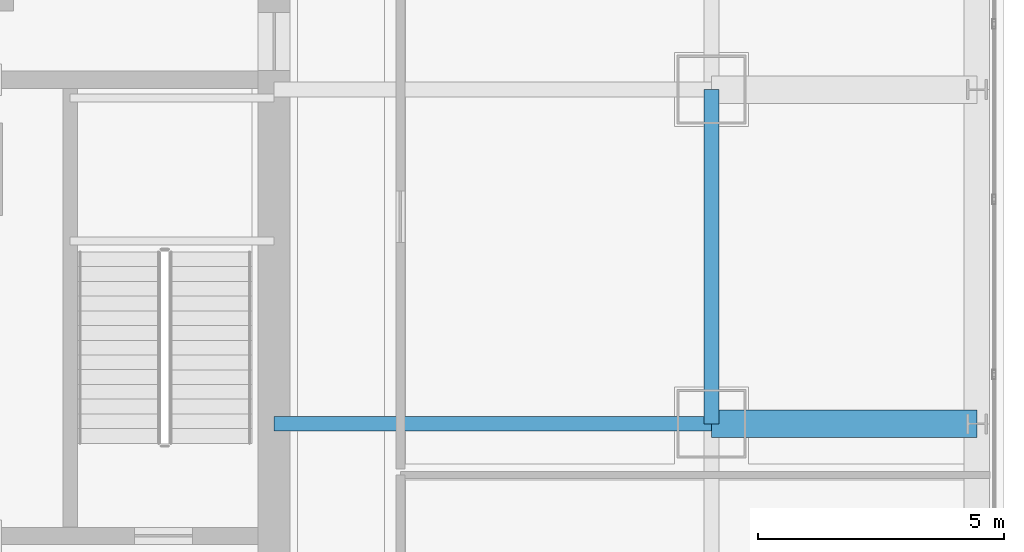
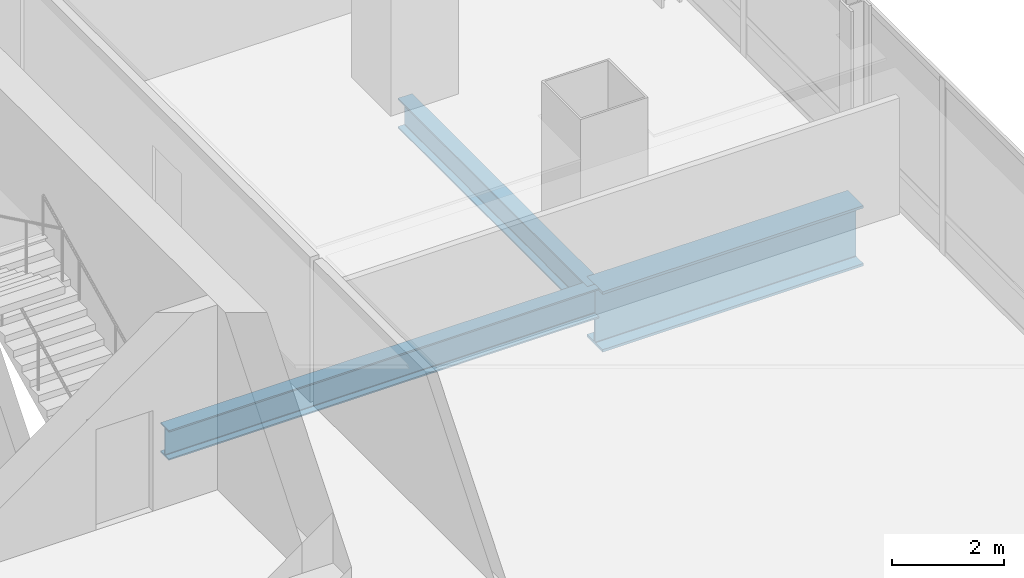
# One storey, part 16 of 36: 3 beams.
"""IFC4 building model written with IfcOpenShell, lengths in metres."""

from ifc_helpers import new_model, si_unit, direction, frame, origin, origin_2d, place, context, subcontext, project, spatial, i_section, extrude, material, material_profile, profile_set, type_object, element, save


model = new_model("IFC4")

# Units and contexts
model_context = context("Model", 3, precision=1e-05, world=origin(), true_north=direction((0.0, 1.0)))
body_context = subcontext(model_context, "Body", "Model", "MODEL_VIEW")
ifc_project = project(units=[si_unit("LENGTHUNIT", "METRE"), si_unit("AREAUNIT", "SQUARE_METRE"), si_unit("VOLUMEUNIT", "CUBIC_METRE"), si_unit("PLANEANGLEUNIT", "RADIAN"), si_unit("MASSUNIT", "GRAM", prefix="KILO")], contexts=[model_context])

# Site, building, storey
site_placement = place(None, origin())
site = spatial("IfcSite", under=ifc_project, at=site_placement, CompositionType="ELEMENT")
building_placement = place(site_placement, origin())
building = spatial("IfcBuilding", under=site, at=building_placement, Name="Punatoya Terracotta Tower", CompositionType="ELEMENT")
storey_placement = place(building_placement, frame((0.0, 0.0, 208.64990234375)))
storey = spatial("IfcBuildingStorey", under=building, at=storey_placement, Name="L49", CompositionType="ELEMENT", Elevation=208.64990234375)

# Beams
ifc_material_1 = material(Name="Steel S355", Category="steel")
ifc_material_profile_1 = material_profile(ifc_material_1, i_section(OverallWidth=0.300048828125, OverallDepth=0.64990234375, WebThickness=0.01611328125, FlangeThickness=0.031005859375, FilletRadius=0.01806640625, at=origin_2d()))
ifc_profile_set_1 = profile_set([ifc_material_profile_1], Name="Steel S355")
beam_type_1 = type_object("IfcBeamType", Name="BM-PRI-650", PredefinedType="BEAM", material=ifc_profile_set_1)
beam_1_placement = place(storey_placement, frame((19.10009765625, -3.39990234375, -0.544921875), z_axis=(0.0, 1.0, 0.0), x_axis=(-1.0, 0.0, 0.0)))
element("IfcBeam", 1, at=beam_1_placement, inside=storey, type_object=beam_type_1, Name="BM-L49-RG-E2", PredefinedType="BEAM", context=body_context, shape_type="SweptSolid", body=[
    extrude(i_section(OverallWidth=0.300048828125, OverallDepth=0.64990234375, WebThickness=0.01611328125, FlangeThickness=0.031005859375, FilletRadius=0.01806640625, at=origin_2d()), origin(), (0.0, 0.0, 1.0), 6.7998046875),
])
beam_2_placement = place(storey_placement, frame((10.199951171875, -3.39990234375, -0.544921875), z_axis=(1.0, 0.0, 0.0), x_axis=(0.0, 1.0, 0.0)))
element("IfcBeam", 2, at=beam_2_placement, inside=storey, type_object=beam_type_1, Name="BM-L49-PR-ED", PredefinedType="BEAM", context=body_context, shape_type="SweptSolid", body=[
    extrude(i_section(OverallWidth=0.300048828125, OverallDepth=0.64990234375, WebThickness=0.01611328125, FlangeThickness=0.031005859375, FilletRadius=0.01806640625, at=origin_2d()), origin(), (0.0, 0.0, 1.0), 8.900146484375),
])
ifc_material_2 = material(Name="Steel S460", Category="steel")
ifc_material_profile_2 = material_profile(ifc_material_2, i_section(OverallWidth=0.56005859375, OverallDepth=1.320068359375, WebThickness=0.035888671875, FlangeThickness=0.054931640625, FilletRadius=0.01806640625, at=origin_2d()))
ifc_profile_set_2 = profile_set([ifc_material_profile_2], Name="Steel S460")
beam_type_2 = type_object("IfcBeamType", Name="BM-TG-BLK", PredefinedType="BEAM", material=ifc_profile_set_2)
beam_3_placement = place(storey_placement, frame((19.10009765625, -3.39990234375, -0.8798828125), z_axis=(1.0, 0.0, 0.0), x_axis=(0.0, 1.0, 0.0)))
element("IfcBeam", 3, at=beam_3_placement, inside=storey, type_object=beam_type_2, Name="BM-L49-CANT-E2", PredefinedType="BEAM", context=body_context, shape_type="SweptSolid", body=[
    extrude(i_section(OverallWidth=0.56005859375, OverallDepth=1.320068359375, WebThickness=0.035888671875, FlangeThickness=0.054931640625, FilletRadius=0.01806640625, at=origin_2d()), origin(), (0.0, 0.0, 1.0), 5.39990234375),
])

save(model, "model.ifc")
